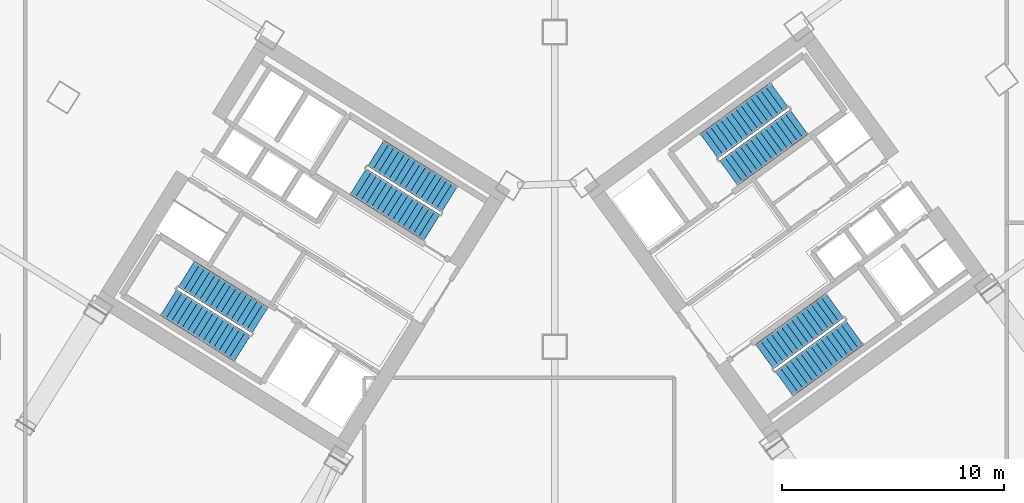
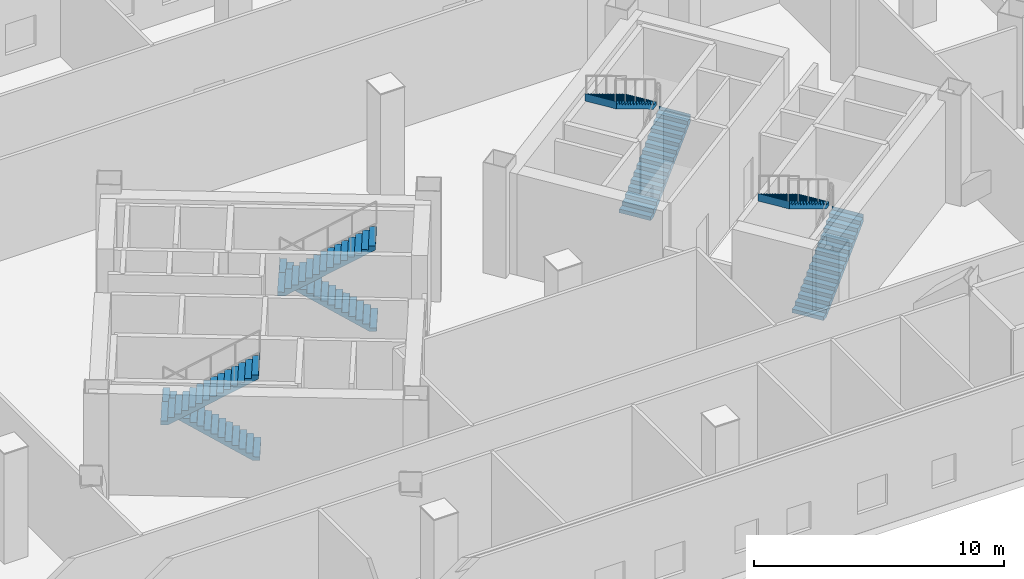
# One storey, part 18 of 23: 8 stair flights, 4 elements without a shape of their own.
"""IFC4 building model written with IfcOpenShell, lengths in metres."""

from ifc_helpers import new_model, si_unit, direction, frame, origin, place, context, subcontext, project, spatial, polyline, outline, extrude, source, transform, mapped, material, type_object, element, aggregate, save


model = new_model("IFC4")

# Units and contexts
model_context = context("Model", 3, precision=1e-05, world=origin(), true_north=direction((0.0, 1.0)))
body_context = subcontext(model_context, "Body", "Model", "MODEL_VIEW")
ifc_project = project(units=[si_unit("LENGTHUNIT", "METRE"), si_unit("AREAUNIT", "SQUARE_METRE"), si_unit("VOLUMEUNIT", "CUBIC_METRE"), si_unit("PLANEANGLEUNIT", "RADIAN"), si_unit("MASSUNIT", "GRAM", prefix="KILO")], contexts=[model_context])

# Site, building, storey
site_placement = place(None, origin())
site = spatial("IfcSite", under=ifc_project, at=site_placement, CompositionType="ELEMENT")
building_placement = place(site_placement, origin())
building = spatial("IfcBuilding", under=site, at=building_placement, Name="Tlacorven Tower", CompositionType="ELEMENT")
storey_placement = place(building_placement, frame((0.0, 0.0, 18.60009765625)))
storey = spatial("IfcBuildingStorey", under=building, at=storey_placement, Name="L04", CompositionType="ELEMENT", Elevation=18.60009765625)

# Stair, stair flights
ifc_material = material(Name="Concrete C40/50", Category="concrete")
stair_type = type_object("IfcStairType", Name="ST-CORE-DLG", PredefinedType="HALF_TURN_STAIR", material=ifc_material)
stair_1_placement = place(storey_placement, origin())
stair_1 = element("IfcStair", 1, at=stair_1_placement, inside=storey, type_object=stair_type, Name="L04 Protected Exit Stair West 1", PredefinedType="HALF_TURN_STAIR")
stair_flight_type = type_object("IfcStairFlightType", Name="SFL-RC-1380", PredefinedType="STRAIGHT", material=ifc_material)
shared_shape = source(origin(), body_context, "Body", "SweptSolid", [
    extrude(outline(polyline([(-0.0029296875, -0.0029296875), (-0.0029296875, 0.179931640625), (0.280029296875, 0.179931640625), (0.280029296875, 0.360107421875), (0.56005859375, 0.360107421875), (0.56005859375, 0.5400390625), (0.840087890625, 0.5400390625), (0.840087890625, 0.719970703125), (1.1201171875, 0.719970703125), (1.1201171875, 0.89990234375), (1.39990234375, 0.89990234375), (1.39990234375, 1.080078125), (1.679931640625, 1.080078125), (1.679931640625, 1.260009765625), (1.9599609375, 1.260009765625), (1.9599609375, 1.43994140625), (2.239990234375, 1.43994140625), (2.239990234375, 1.6201171875), (2.52001953125, 1.6201171875), (2.52001953125, 1.800048828125), (2.800048828125, 1.800048828125), (2.800048828125, 1.97998046875), (3.080078125, 1.97998046875), (3.080078125, 2.159912109375), (3.360107421875, 2.159912109375), (3.360107421875, 2.340087890625), (3.639892578125, 2.340087890625), (3.639892578125, 2.52001953125), (3.919921875, 2.52001953125), (3.919921875, 2.699951171875), (3.923095703125, 2.699951171875), (3.923095703125, 2.329833984375), (3.919921875, 2.329833984375), (0.295654296875, 0.0), (0.295654296875, -0.0029296875), (-0.0029296875, -0.0029296875)])), frame((0.0, 0.68994140625, 0.0), z_axis=(0.0, -1.0, 0.0), x_axis=(1.0, 0.0, 0.0)), (0.0, 0.0, 1.0), 1.3798828125),
])
stair_flight_1_placement = place(storey_placement, frame((29.499755859375, 18.39453125, 0.0), z_axis=(0.0, 0.0, 1.0), x_axis=(-0.848048096156, 0.529919264233, 0.0)))
stair_flight_1 = element("IfcStairFlight", 2, at=stair_flight_1_placement, type_object=stair_flight_type, Name="ST-W1 flight 1", NumberOfRisers=15, NumberOfTreads=14, PredefinedType="STRAIGHT", RiserHeight=0.18, TreadLength=0.28, context=body_context, shape_type="MappedRepresentation", body=[
    mapped(shared_shape, transform((0.0, 0.0, 0.0), scale=1.0)),
])
stair_flight_2_placement = place(storey_placement, frame((25.380615234375, 19.19970703125, 2.699951171875), z_axis=(0.0, 0.0, 1.0), x_axis=(0.848048096156, -0.529919264233, 0.0)))
stair_flight_2 = element("IfcStairFlight", 3, at=stair_flight_2_placement, type_object=stair_flight_type, Name="ST-W1 flight 2", NumberOfRisers=15, NumberOfTreads=14, PredefinedType="STRAIGHT", RiserHeight=0.18, TreadLength=0.28, context=body_context, shape_type="MappedRepresentation", body=[
    mapped(shared_shape, transform((0.0, 0.0, 0.0), scale=1.0)),
])
aggregate(stair_1, [stair_flight_1, stair_flight_2])

stair_2_placement = place(storey_placement, origin())
stair_2 = element("IfcStair", 4, at=stair_2_placement, inside=storey, type_object=stair_type, Name="L04 Protected Exit Stair West 2", PredefinedType="HALF_TURN_STAIR")
stair_flight_3_placement = place(storey_placement, frame((38.051513671875, 23.852294921875, 0.0), z_axis=(0.0, 0.0, 1.0), x_axis=(-0.848048096156, 0.529919264233, 0.0)))
stair_flight_3 = element("IfcStairFlight", 5, at=stair_flight_3_placement, type_object=stair_flight_type, Name="ST-W2 flight 1", NumberOfRisers=15, NumberOfTreads=14, PredefinedType="STRAIGHT", RiserHeight=0.18, TreadLength=0.28, context=body_context, shape_type="MappedRepresentation", body=[
    mapped(shared_shape, transform((0.0, 0.0, 0.0), scale=1.0)),
])
stair_flight_4_placement = place(storey_placement, frame((33.93212890625, 24.657470703125, 2.699951171875), z_axis=(0.0, 0.0, 1.0), x_axis=(0.848048096156, -0.529919264233, 0.0)))
stair_flight_4 = element("IfcStairFlight", 6, at=stair_flight_4_placement, type_object=stair_flight_type, Name="ST-W2 flight 2", NumberOfRisers=15, NumberOfTreads=14, PredefinedType="STRAIGHT", RiserHeight=0.18, TreadLength=0.28, context=body_context, shape_type="MappedRepresentation", body=[
    mapped(shared_shape, transform((0.0, 0.0, 0.0), scale=1.0)),
])
aggregate(stair_2, [stair_flight_3, stair_flight_4])

stair_3_placement = place(storey_placement, origin())
stair_3 = element("IfcStair", 7, at=stair_3_placement, inside=storey, type_object=stair_type, Name="L04 Protected Exit Stair East 1", PredefinedType="HALF_TURN_STAIR")
stair_flight_5_placement = place(storey_placement, frame((50.6533203125, 25.0400390625, 0.0), z_axis=(0.0, 0.0, 1.0), x_axis=(0.809016994375, 0.587785252292, 0.0)))
stair_flight_5 = element("IfcStairFlight", 8, at=stair_flight_5_placement, type_object=stair_flight_type, Name="ST-E1 flight 1", NumberOfRisers=15, NumberOfTreads=14, PredefinedType="STRAIGHT", RiserHeight=0.18, TreadLength=0.28, context=body_context, shape_type="MappedRepresentation", body=[
    mapped(shared_shape, transform((0.0, 0.0, 0.0), scale=1.0)),
])
stair_flight_6_placement = place(storey_placement, frame((52.943115234375, 28.5576171875, 2.699951171875), z_axis=(0.0, 0.0, 1.0), x_axis=(-0.809016994375, -0.587785252292, 0.0)))
stair_flight_6 = element("IfcStairFlight", 9, at=stair_flight_6_placement, type_object=stair_flight_type, Name="ST-E1 flight 2", NumberOfRisers=15, NumberOfTreads=14, PredefinedType="STRAIGHT", RiserHeight=0.18, TreadLength=0.28, context=body_context, shape_type="MappedRepresentation", body=[
    mapped(shared_shape, transform((0.0, 0.0, 0.0), scale=1.0)),
])
aggregate(stair_3, [stair_flight_5, stair_flight_6])

stair_4_placement = place(storey_placement, origin())
stair_4 = element("IfcStair", 10, at=stair_4_placement, inside=storey, type_object=stair_type, Name="L04 Protected Exit Stair East 2", PredefinedType="HALF_TURN_STAIR")
stair_flight_7_placement = place(storey_placement, frame((53.157470703125, 15.536865234375, 0.0), z_axis=(0.0, 0.0, 1.0), x_axis=(0.809016994375, 0.587785252292, 0.0)))
stair_flight_7 = element("IfcStairFlight", 11, at=stair_flight_7_placement, type_object=stair_flight_type, Name="ST-E2 flight 1", NumberOfRisers=15, NumberOfTreads=14, PredefinedType="STRAIGHT", RiserHeight=0.18, TreadLength=0.28, context=body_context, shape_type="MappedRepresentation", body=[
    mapped(shared_shape, transform((0.0, 0.0, 0.0), scale=1.0)),
])
stair_flight_8_placement = place(storey_placement, frame((55.447021484375, 19.054443359375, 2.699951171875), z_axis=(0.0, 0.0, 1.0), x_axis=(-0.809016994375, -0.587785252292, 0.0)))
stair_flight_8 = element("IfcStairFlight", 12, at=stair_flight_8_placement, type_object=stair_flight_type, Name="ST-E2 flight 2", NumberOfRisers=15, NumberOfTreads=14, PredefinedType="STRAIGHT", RiserHeight=0.18, TreadLength=0.28, context=body_context, shape_type="MappedRepresentation", body=[
    mapped(shared_shape, transform((0.0, 0.0, 0.0), scale=1.0)),
])
aggregate(stair_4, [stair_flight_7, stair_flight_8])

save(model, "model.ifc")
